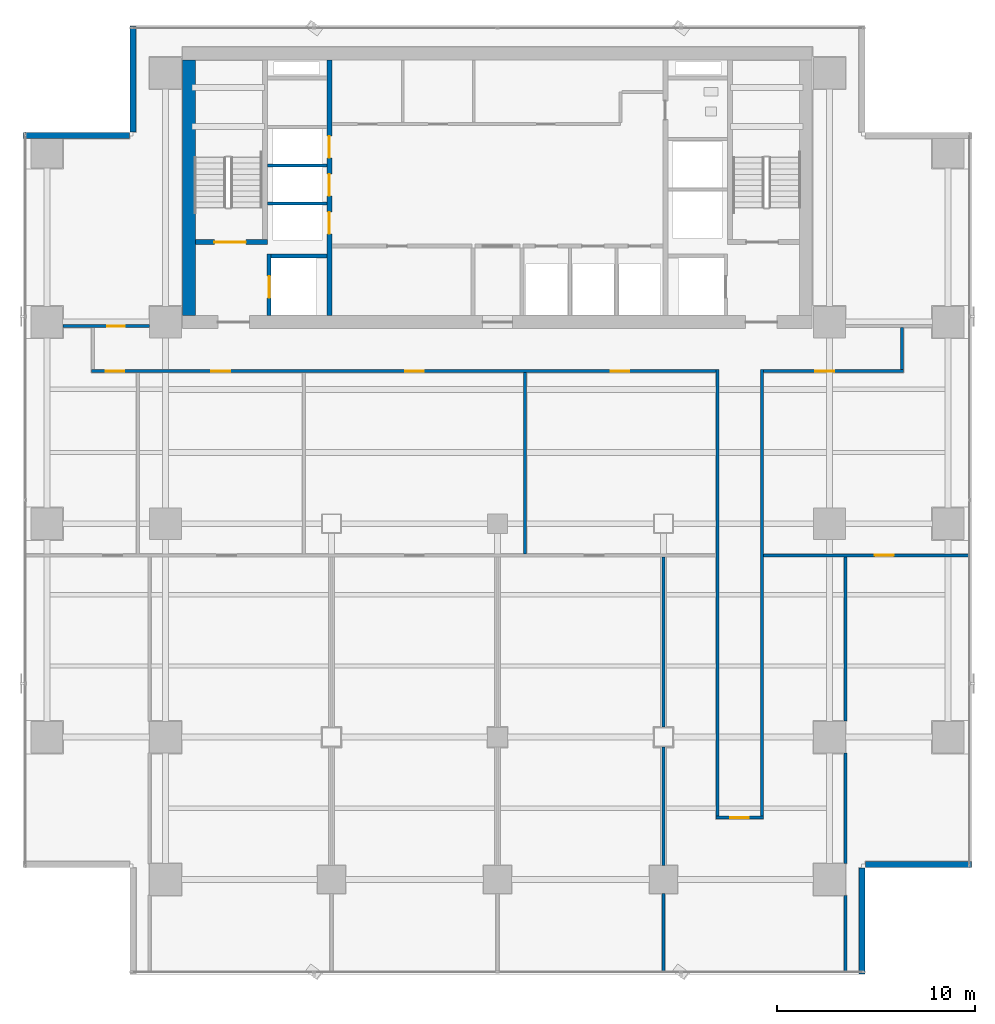
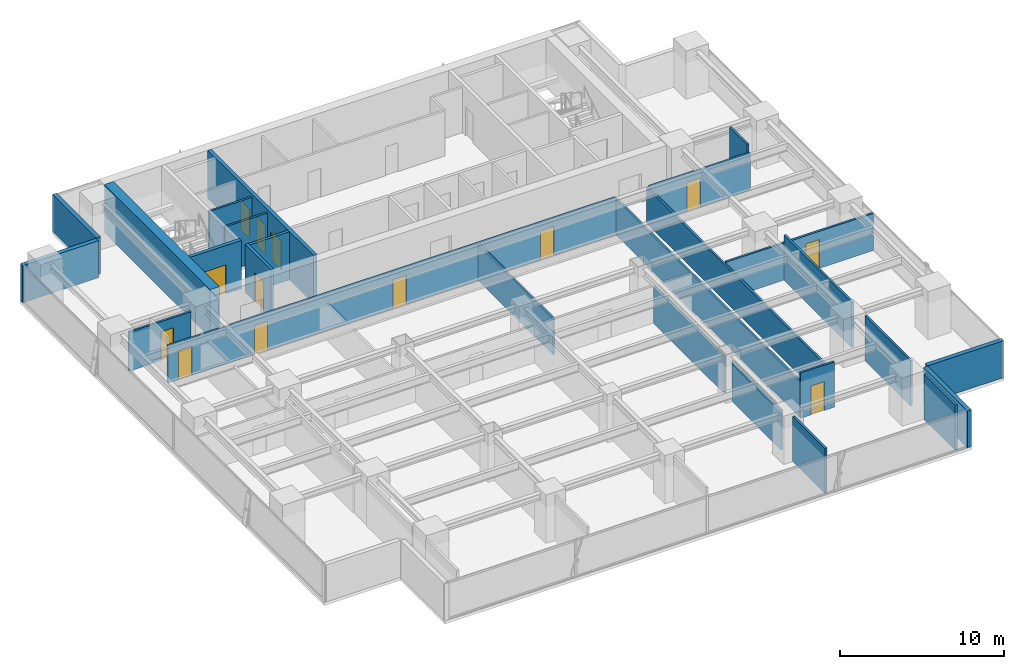
# One storey, part 21 of 28: 26 walls, 13 doors, 13 openings.
"""IFC4 building model written with IfcOpenShell, lengths in metres."""

from ifc_helpers import new_model, si_unit, direction, frame, frame_2d, origin, place, context, subcontext, project, spatial, rectangle, extrude, source, transform, mapped, material, layer, layer_set, type_object, element, fill, save


model = new_model("IFC4")

# Units and contexts
model_context = context("Model", 3, precision=1e-05, world=origin(), true_north=direction((0.0, 1.0)))
body_context = subcontext(model_context, "Body", "Model", "MODEL_VIEW")
ifc_project = project(units=[si_unit("LENGTHUNIT", "METRE"), si_unit("AREAUNIT", "SQUARE_METRE"), si_unit("VOLUMEUNIT", "CUBIC_METRE"), si_unit("PLANEANGLEUNIT", "RADIAN"), si_unit("MASSUNIT", "GRAM", prefix="KILO")], contexts=[model_context])

# Site, building, storey
site_placement = place(None, origin())
site = spatial("IfcSite", under=ifc_project, at=site_placement, CompositionType="ELEMENT")
building_placement = place(site_placement, origin())
building = spatial("IfcBuilding", under=site, at=building_placement, Name="Sumidabori Civic Tower", CompositionType="ELEMENT")
storey_placement = place(building_placement, frame((0.0, 0.0, 153.199951171875)))
storey = spatial("IfcBuildingStorey", under=building, at=storey_placement, Name="L39", CompositionType="ELEMENT", Elevation=153.199951171875)

# Walls
ifc_material_1 = material(Name="Concrete C50/60", Category="concrete")
ifc_layer_1 = layer(ifc_material_1, 0.199951171875, Name="Concrete C50/60")
ifc_layer_set_1 = layer_set([ifc_layer_1], Name="Concrete C50/60")
wall_type_1 = type_object("IfcWallType", Name="WL-SHAFT-200", PredefinedType="SHEAR", material=ifc_layer_set_1)
shared_shape_1 = source(origin(), body_context, "Body", "SweptSolid", [
    extrude(rectangle(XDim=2.824951171875, YDim=0.199951171875, at=frame_2d((1.41259765625, 0.0))), origin(), (0.0, 0.0, 1.0), 3.60009765625),
])
wall_1_placement = place(storey_placement, frame((-11.449951171875, 13.550048828125, 0.0), z_axis=(0.0, 0.0, 1.0), x_axis=(1.0, 0.0, 0.0)))
element("IfcWall", 1, at=wall_1_placement, inside=storey, type_object=wall_type_1, Name="Core Shear Wall L39 EL1-N", PredefinedType="SHEAR", context=body_context, shape_type="MappedRepresentation", body=[
    mapped(shared_shape_1, transform((0.0, 0.0, 0.0), x_axis=(1.0, 0.0, 0.0), y_axis=(0.0, 1.0, 0.0), z_axis=(0.0, 0.0, 1.0), scale=1.0)),
])
ifc_material_2 = material(Name="Concrete C60/75", Category="concrete")
ifc_layer_2 = layer(ifc_material_2, 0.64990234375, Name="Concrete C60/75")
ifc_layer_set_2 = layer_set([ifc_layer_2], Name="Concrete C60/75")
wall_type_2 = type_object("IfcWallType", Name="WL-CORE-650", PredefinedType="SHEAR", material=ifc_layer_set_2)
shared_shape_2 = source(origin(), body_context, "Body", "SweptSolid", [
    extrude(rectangle(XDim=12.9501953125, YDim=0.64990234375, at=frame_2d((6.47509765625, 0.0))), origin(), (0.0, 0.0, 1.0), 3.60009765625),
])
wall_2_placement = place(storey_placement, frame((-15.60009765625, 10.52490234375, 0.0), z_axis=(0.0, 0.0, 1.0), x_axis=(0.0, 1.0, 0.0)))
element("IfcWall", 2, at=wall_2_placement, inside=storey, type_object=wall_type_2, Name="Core Shear Wall L39 W", PredefinedType="SHEAR", context=body_context, shape_type="MappedRepresentation", body=[
    mapped(shared_shape_2, transform((0.0, 0.0, 0.0), x_axis=(1.0, 0.0, 0.0), y_axis=(0.0, 1.0, 0.0), z_axis=(0.0, 0.0, 1.0), scale=1.0)),
])

# Wall, openings, doors
ifc_layer_3 = layer(ifc_material_1, 0.25, Name="Concrete C50/60")
ifc_layer_set_3 = layer_set([ifc_layer_3], Name="Concrete C50/60")
wall_type_3 = type_object("IfcWallType", Name="WL-SHAFT-250", PredefinedType="SHEAR", material=ifc_layer_set_3)
shared_shape_3 = source(origin(), body_context, "Body", "SweptSolid", [
    extrude(rectangle(XDim=12.9501953125, YDim=0.25, at=frame_2d((6.47509765625, 0.0))), origin(), (0.0, 0.0, 1.0), 3.60009765625),
])
wall_3_placement = place(storey_placement, frame((-8.5, 10.52490234375, 0.0), z_axis=(0.0, 0.0, 1.0), x_axis=(0.0, 1.0, 0.0)))
wall_3 = element("IfcWall", 3, at=wall_3_placement, inside=storey, type_object=wall_type_3, Name="Core Shear Wall L39 WEB-W", PredefinedType="SHEAR", context=body_context, shape_type="MappedRepresentation", body=[
    mapped(shared_shape_3, transform((0.0, 0.0, 0.0), x_axis=(1.0, 0.0, 0.0), y_axis=(0.0, 1.0, 0.0), z_axis=(0.0, 0.0, 1.0), scale=1.0)),
])
opening_1_placement = place(wall_3_placement, frame((4.14501953125, 0.0, 0.0)))
opening_1 = element("IfcOpeningElement", 4, at=opening_1_placement, cuts=wall_3, Name="Opening LD-1", PredefinedType="OPENING", context=body_context, shape_type="SweptSolid", body=[
    extrude(rectangle(XDim=1.10009765625, YDim=2.14990234375, at=frame_2d((0.550048828125, 1.074951171875))), frame((0.0, 0.136962890625, 0.0), z_axis=(0.0, -1.0, 0.0), x_axis=(1.0, 0.0, 0.0)), (0.0, 0.0, 1.0), 0.27392578125),
])
opening_2_placement = place(wall_3_placement, frame((6.06494140625, 0.0, 0.0)))
opening_2 = element("IfcOpeningElement", 5, at=opening_2_placement, cuts=wall_3, Name="Opening LD-1", PredefinedType="OPENING", context=body_context, shape_type="SweptSolid", body=[
    extrude(rectangle(XDim=1.10009765625, YDim=2.14990234375, at=frame_2d((0.550048828125, 1.074951171875))), frame((0.0, 0.136962890625, 0.0), z_axis=(0.0, -1.0, 0.0), x_axis=(1.0, 0.0, 0.0)), (0.0, 0.0, 1.0), 0.27392578125),
])
opening_3_placement = place(wall_3_placement, frame((7.985107421875, 0.0, 0.0)))
opening_3 = element("IfcOpeningElement", 6, at=opening_3_placement, cuts=wall_3, Name="Opening LD-1", PredefinedType="OPENING", context=body_context, shape_type="SweptSolid", body=[
    extrude(rectangle(XDim=1.10009765625, YDim=2.14990234375, at=frame_2d((0.550048828125, 1.074951171875))), frame((0.0, 0.136962890625, 0.0), z_axis=(0.0, -1.0, 0.0), x_axis=(1.0, 0.0, 0.0)), (0.0, 0.0, 1.0), 0.27392578125),
])
ifc_material_3 = material(Name="Stainless Steel Hairline Finish", Category="steel")
door_type_1 = type_object("IfcDoorType", Name="DR-LD1", OperationType="DOUBLE_DOOR_SLIDING", PredefinedType="DOOR", material=ifc_material_3)
shared_shape_4 = source(origin(), body_context, "Body", "SweptSolid", [
    extrude(rectangle(XDim=1.10009765625, YDim=2.14990234375, at=frame_2d((0.550048828125, 1.074951171875))), frame((0.0, 0.02490234375, 0.0), z_axis=(0.0, -1.0, 0.0), x_axis=(1.0, 0.0, 0.0)), (0.0, 0.0, 1.0), 0.050048828125),
])
door_1_placement = place(opening_1_placement, origin())
door_1 = element("IfcDoor", 7, at=door_1_placement, inside=storey, type_object=door_type_1, Name="Door DR:L39:LD-PLH1", OperationType="DOUBLE_DOOR_SLIDING", OverallHeight=2.14990234375, OverallWidth=1.10009765625, PredefinedType="DOOR", context=body_context, shape_type="MappedRepresentation", body=[
    mapped(shared_shape_4, transform((0.0, 0.0, 0.0), x_axis=(1.0, 0.0, 0.0), y_axis=(0.0, 1.0, 0.0), z_axis=(0.0, 0.0, 1.0), scale=1.0)),
])
fill(opening_1, door_1)
door_2_placement = place(opening_2_placement, origin())
door_2 = element("IfcDoor", 8, at=door_2_placement, inside=storey, type_object=door_type_1, Name="Door DR:L39:LD-PLH2", OperationType="DOUBLE_DOOR_SLIDING", OverallHeight=2.14990234375, OverallWidth=1.10009765625, PredefinedType="DOOR", context=body_context, shape_type="MappedRepresentation", body=[
    mapped(shared_shape_4, transform((0.0, 0.0, 0.0), x_axis=(1.0, 0.0, 0.0), y_axis=(0.0, 1.0, 0.0), z_axis=(0.0, 0.0, 1.0), scale=1.0)),
])
fill(opening_2, door_2)
door_3_placement = place(opening_3_placement, origin())
door_3 = element("IfcDoor", 9, at=door_3_placement, inside=storey, type_object=door_type_1, Name="Door DR:L39:LD-PLH3", OperationType="DOUBLE_DOOR_SLIDING", OverallHeight=2.14990234375, OverallWidth=1.10009765625, PredefinedType="DOOR", context=body_context, shape_type="MappedRepresentation", body=[
    mapped(shared_shape_4, transform((0.0, 0.0, 0.0), x_axis=(1.0, 0.0, 0.0), y_axis=(0.0, 1.0, 0.0), z_axis=(0.0, 0.0, 1.0), scale=1.0)),
])
fill(opening_3, door_3)

# Wall, opening, door
shared_shape_5 = source(origin(), body_context, "Body", "SweptSolid", [
    extrude(rectangle(XDim=3.6298828125, YDim=0.25, at=frame_2d((1.81494140625, 0.0))), origin(), (0.0, 0.0, 1.0), 3.60009765625),
])
wall_4_placement = place(storey_placement, frame((-15.27490234375, 14.25, 0.0), z_axis=(0.0, 0.0, 1.0), x_axis=(1.0, 0.0, 0.0)))
wall_4 = element("IfcWall", 10, at=wall_4_placement, inside=storey, type_object=wall_type_3, Name="Core Shear Wall L39 ST1-S", PredefinedType="SHEAR", context=body_context, shape_type="MappedRepresentation", body=[
    mapped(shared_shape_5, transform((0.0, 0.0, 0.0), x_axis=(1.0, 0.0, 0.0), y_axis=(0.0, 1.0, 0.0), z_axis=(0.0, 0.0, 1.0), scale=1.0)),
])
opening_4_placement = place(wall_4_placement, frame((0.949951171875, 0.0, 0.0)))
opening_4 = element("IfcOpeningElement", 11, at=opening_4_placement, cuts=wall_4, Name="Opening DR-FD4", PredefinedType="OPENING", context=body_context, shape_type="SweptSolid", body=[
    extrude(rectangle(XDim=1.60009765625, YDim=2.14990234375, at=frame_2d((0.800048828125, 1.074951171875))), frame((0.0, 0.136962890625, 0.0), z_axis=(0.0, -1.0, 0.0), x_axis=(1.0, 0.0, 0.0)), (0.0, 0.0, 1.0), 0.27392578125),
])
ifc_material_4 = material(Name="Steel SN490", Category="steel")
door_type_2 = type_object("IfcDoorType", Name="DR-FD4", OperationType="DOUBLE_DOOR_SINGLE_SWING", PredefinedType="DOOR", material=ifc_material_4)
shared_shape_6 = source(origin(), body_context, "Body", "SweptSolid", [
    extrude(rectangle(XDim=1.60009765625, YDim=2.14990234375, at=frame_2d((0.800048828125, 1.074951171875))), frame((0.0, 0.02490234375, 0.0), z_axis=(0.0, -1.0, 0.0), x_axis=(1.0, 0.0, 0.0)), (0.0, 0.0, 1.0), 0.050048828125),
])
door_4_placement = place(opening_4_placement, origin())
door_4 = element("IfcDoor", 12, at=door_4_placement, inside=storey, type_object=door_type_2, Name="Door DR:L39:ST1", OperationType="DOUBLE_DOOR_SINGLE_SWING", OverallHeight=2.14990234375, OverallWidth=1.60009765625, PredefinedType="DOOR", context=body_context, shape_type="MappedRepresentation", body=[
    mapped(shared_shape_6, transform((0.0, 0.0, 0.0), x_axis=(1.0, 0.0, 0.0), y_axis=(0.0, 1.0, 0.0), z_axis=(0.0, 0.0, 1.0), scale=1.0)),
])
fill(opening_4, door_4)

shared_shape_7 = source(origin(), body_context, "Body", "SweptSolid", [
    extrude(rectangle(XDim=3.125, YDim=0.199951171875, at=frame_2d((1.5625, 0.0))), origin(), (0.0, 0.0, 1.0), 3.60009765625),
])
wall_5_placement = place(storey_placement, frame((-11.550048828125, 10.52490234375, 0.0), z_axis=(0.0, 0.0, 1.0), x_axis=(0.0, 1.0, 0.0)))
wall_5 = element("IfcWall", 13, at=wall_5_placement, inside=storey, type_object=wall_type_1, Name="Core Shear Wall L39 EL1-W", PredefinedType="SHEAR", context=body_context, shape_type="MappedRepresentation", body=[
    mapped(shared_shape_7, transform((0.0, 0.0, 0.0), x_axis=(1.0, 0.0, 0.0), y_axis=(0.0, 1.0, 0.0), z_axis=(0.0, 0.0, 1.0), scale=1.0)),
])
opening_5_placement = place(wall_5_placement, frame((0.89990234375, 0.0, 0.0)))
opening_5 = element("IfcOpeningElement", 14, at=opening_5_placement, cuts=wall_5, Name="Opening LD-2", PredefinedType="OPENING", context=body_context, shape_type="SweptSolid", body=[
    extrude(rectangle(XDim=1.10009765625, YDim=2.14990234375, at=frame_2d((0.550048828125, 1.074951171875))), frame((0.0, 0.11181640625, 0.0), z_axis=(0.0, -1.0, 0.0), x_axis=(1.0, 0.0, 0.0)), (0.0, 0.0, 1.0), 0.223876953125),
])
door_type_3 = type_object("IfcDoorType", Name="DR-LD2", OperationType="DOUBLE_DOOR_SLIDING", PredefinedType="DOOR", material=ifc_material_3)
door_5_placement = place(opening_5_placement, origin())
door_5 = element("IfcDoor", 15, at=door_5_placement, inside=storey, type_object=door_type_3, Name="Door DR:L39:LD-EL1", OperationType="DOUBLE_DOOR_SLIDING", OverallHeight=2.14990234375, OverallWidth=1.10009765625, PredefinedType="DOOR", context=body_context, shape_type="MappedRepresentation", body=[
    mapped(shared_shape_4, transform((0.0, 0.0, 0.0), x_axis=(1.0, 0.0, 0.0), y_axis=(0.0, 1.0, 0.0), z_axis=(0.0, 0.0, 1.0), scale=1.0)),
])
fill(opening_5, door_5)

# Walls
ifc_material_5 = material(Name="Precast concrete C40/50", Category="concrete")
ifc_layer_4 = layer(ifc_material_5, 0.300048828125, Name="Precast concrete C40/50")
ifc_layer_set_4 = layer_set([ifc_layer_4], Name="Precast concrete C40/50")
wall_type_4 = type_object("IfcWallType", Name="WL-EXT-POD300", PredefinedType="STANDARD", material=ifc_layer_set_4)
shared_shape_8 = source(origin(), body_context, "Body", "SweptSolid", [
    extrude(rectangle(XDim=5.360107421875, YDim=0.300048828125, at=frame_2d((2.68017578125, 0.0))), origin(), (0.0, 0.0, 1.0), 2.760009765625),
])
wall_6_placement = place(storey_placement, frame((18.449951171875, -22.780029296875, 0.0), z_axis=(0.0, 0.0, 1.0), x_axis=(0.0, 1.0, 0.0)))
element("IfcWall", 16, at=wall_6_placement, inside=storey, type_object=wall_type_4, Name="Notched Corner Spandrel Band L39-02", PredefinedType="STANDARD", context=body_context, shape_type="MappedRepresentation", body=[
    mapped(shared_shape_8, transform((0.0, 0.0, 0.0), x_axis=(1.0, 0.0, 0.0), y_axis=(0.0, 1.0, 0.0), z_axis=(0.0, 0.0, 1.0), scale=1.0)),
])
shared_shape_9 = source(origin(), body_context, "Body", "SweptSolid", [
    extrude(rectangle(XDim=5.35986328125, YDim=0.300048828125, at=frame_2d((2.679931640625, 0.0))), origin(), (0.0, 0.0, 1.0), 2.760009765625),
])
for number, where, z_axis, x_axis, name in (
    (17, (18.6201171875, -17.25, 0.0), (0.0, 0.0, 1.0), (1.0, 0.0, 0.0), "Notched Corner Spandrel Band L39-03"),
    (18, (-18.449951171875, 25.179931640625, 0.0), (0.0, 0.0, 1.0), (0.0, -1.0, 0.0), "Notched Corner Spandrel Band L39-08"),
    (19, (-18.6201171875, 19.64990234375, 0.0), (0.0, 0.0, 1.0), (-1.0, 0.0, 0.0), "Notched Corner Spandrel Band L39-09"),
):
    element("IfcWall", number, at=place(storey_placement, frame(where, z_axis=z_axis, x_axis=x_axis)), inside=storey, type_object=wall_type_4, Name=name, PredefinedType="STANDARD", context=body_context, shape_type="MappedRepresentation", body=[
        mapped(shared_shape_9, transform((0.0, 0.0, 0.0), x_axis=(1.0, 0.0, 0.0), y_axis=(0.0, 1.0, 0.0), z_axis=(0.0, 0.0, 1.0), scale=1.0)),
    ])
ifc_material_6 = material(Name="Gypsum Plasterboard Acoustic Partition")
ifc_layer_5 = layer(ifc_material_6, 0.14990234375, Name="Gypsum Plasterboard Acoustic Partition")
ifc_layer_set_5 = layer_set([ifc_layer_5], Name="Gypsum Plasterboard Acoustic Partition")
wall_type_5 = type_object("IfcWallType", Name="WL-PART-150", PredefinedType="PARTITIONING", material=ifc_layer_set_5)
shared_shape_10 = source(origin(), body_context, "Body", "SweptSolid", [
    extrude(rectangle(XDim=3.010009765625, YDim=0.14990234375, at=frame_2d((1.5048828125, 0.0))), origin(), (0.0, 0.0, 1.0), 3.380126953125),
])
for number, where, z_axis, x_axis, name in (
    (20, (-11.639892578125, 16.199951171875, 0.0), (0.0, 0.0, 1.0), (1.0, 0.0, 0.0), "Interior Partition WL:L39:DIV-PLH1"),
    (21, (-11.639892578125, 18.1201171875, 0.0), (0.0, 0.0, 1.0), (1.0, 0.0, 0.0), "Interior Partition WL:L39:DIV-PLH2"),
):
    element("IfcWall", number, at=place(storey_placement, frame(where, z_axis=z_axis, x_axis=x_axis)), inside=storey, type_object=wall_type_5, Name=name, PredefinedType="PARTITIONING", context=body_context, shape_type="MappedRepresentation", body=[
        mapped(shared_shape_10, transform((0.0, 0.0, 0.0), x_axis=(1.0, 0.0, 0.0), y_axis=(0.0, 1.0, 0.0), z_axis=(0.0, 0.0, 1.0), scale=1.0)),
    ])

# Wall, opening, door
shared_shape_11 = source(origin(), body_context, "Body", "SweptSolid", [
    extrude(rectangle(XDim=4.3798828125, YDim=0.14990234375, at=frame_2d((2.18994140625, 0.0))), origin(), (0.0, 0.0, 1.0), 2.9150390625),
])
wall_7_placement = place(storey_placement, frame((-21.989990234375, 10.0, 0.0), z_axis=(0.0, 0.0, 1.0), x_axis=(1.0, 0.0, 0.0)))
wall_7 = element("IfcWall", 22, at=wall_7_placement, inside=storey, type_object=wall_type_5, Name="Interior Partition WL:L39:FLK-NW", PredefinedType="PARTITIONING", context=body_context, shape_type="MappedRepresentation", body=[
    mapped(shared_shape_11, transform((0.0, 0.0, 0.0), x_axis=(1.0, 0.0, 0.0), y_axis=(0.0, 1.0, 0.0), z_axis=(0.0, 0.0, 1.0), scale=1.0)),
])
opening_6_placement = place(wall_7_placement, frame((2.235107421875, 0.0, 0.0)))
opening_6 = element("IfcOpeningElement", 23, at=opening_6_placement, cuts=wall_7, Name="Opening DR-1", PredefinedType="OPENING", context=body_context, shape_type="SweptSolid", body=[
    extrude(rectangle(XDim=0.89990234375, YDim=2.14990234375, at=frame_2d((0.449951171875, 1.074951171875))), frame((0.0, 0.0869140625, 0.0), z_axis=(0.0, -1.0, 0.0), x_axis=(1.0, 0.0, 0.0)), (0.0, 0.0, 1.0), 0.173828125),
])
ifc_material_7 = material(Name="Japanese Hinoki Timber", Category="wood")
door_type_4 = type_object("IfcDoorType", Name="DR-INT-900", OperationType="NOTDEFINED", PredefinedType="DOOR", material=ifc_material_7)
shared_shape_12 = source(origin(), body_context, "Body", "SweptSolid", [
    extrude(rectangle(XDim=0.89990234375, YDim=2.14990234375, at=frame_2d((0.449951171875, 1.074951171875))), frame((0.0, 0.02490234375, 0.0), z_axis=(0.0, -1.0, 0.0), x_axis=(1.0, 0.0, 0.0)), (0.0, 0.0, 1.0), 0.050048828125),
])
door_6_placement = place(opening_6_placement, origin())
door_6 = element("IfcDoor", 24, at=door_6_placement, inside=storey, type_object=door_type_4, Name="Door DR:L39:FLK-NW", OperationType="SINGLE_SWING_LEFT", OverallHeight=2.14990234375, OverallWidth=0.89990234375, PredefinedType="DOOR", context=body_context, shape_type="MappedRepresentation", body=[
    mapped(shared_shape_12, transform((0.0, 0.0, 0.0), x_axis=(1.0, 0.0, 0.0), y_axis=(0.0, 1.0, 0.0), z_axis=(0.0, 0.0, 1.0), scale=1.0)),
])
fill(opening_6, door_6)

# Walls
shared_shape_13 = source(origin(), body_context, "Body", "SweptSolid", [
    extrude(rectangle(XDim=22.594970703125, YDim=0.14990234375, at=frame_2d((11.29736328125, 0.0))), origin(), (0.0, 0.0, 1.0), 2.6650390625),
])
for number, where, z_axis, x_axis, name in (
    (25, (11.125, -14.794921875, 0.0), (0.0, 0.0, 1.0), (0.0, 1.0, 0.0), "Interior Partition WL:L39:CORR-VL-W"),
    (26, (13.375, -14.794921875, 0.0), (0.0, 0.0, 1.0), (0.0, 1.0, 0.0), "Interior Partition WL:L39:CORR-VL-E"),
):
    element("IfcWall", number, at=place(storey_placement, frame(where, z_axis=z_axis, x_axis=x_axis)), inside=storey, type_object=wall_type_5, Name=name, PredefinedType="PARTITIONING", context=body_context, shape_type="MappedRepresentation", body=[
        mapped(shared_shape_13, transform((0.0, 0.0, 0.0), x_axis=(1.0, 0.0, 0.0), y_axis=(0.0, 1.0, 0.0), z_axis=(0.0, 0.0, 1.0), scale=1.0)),
    ])
shared_shape_14 = source(origin(), body_context, "Body", "SweptSolid", [
    extrude(rectangle(XDim=9.1650390625, YDim=0.14990234375, at=frame_2d((4.58251953125, 0.0))), origin(), (0.0, 0.0, 1.0), 2.6650390625),
])
wall_8_placement = place(storey_placement, frame((1.39990234375, -1.52001953125, 0.0), z_axis=(0.0, 0.0, 1.0), x_axis=(0.0, 1.0, 0.0)))
element("IfcWall", 27, at=wall_8_placement, inside=storey, type_object=wall_type_5, Name="Interior Partition WL:L39:VX-N3", PredefinedType="PARTITIONING", context=body_context, shape_type="MappedRepresentation", body=[
    mapped(shared_shape_14, transform((0.0, 0.0, 0.0), x_axis=(1.0, 0.0, 0.0), y_axis=(0.0, 1.0, 0.0), z_axis=(0.0, 0.0, 1.0), scale=1.0)),
])
shared_shape_15 = source(origin(), body_context, "Body", "SweptSolid", [
    extrude(rectangle(XDim=5.97998046875, YDim=0.14990234375, at=frame_2d((2.989990234375, 0.0))), origin(), (0.0, 0.0, 1.0), 2.965087890625),
])
wall_9_placement = place(storey_placement, frame((8.39990234375, -17.2900390625, 0.0), z_axis=(0.0, 0.0, 1.0), x_axis=(0.0, 1.0, 0.0)))
element("IfcWall", 28, at=wall_9_placement, inside=storey, type_object=wall_type_5, Name="Interior Partition WL:L39:VX-S4-2", PredefinedType="PARTITIONING", context=body_context, shape_type="MappedRepresentation", body=[
    mapped(shared_shape_15, transform((0.0, 0.0, 0.0), x_axis=(1.0, 0.0, 0.0), y_axis=(0.0, 1.0, 0.0), z_axis=(0.0, 0.0, 1.0), scale=1.0)),
])

# Wall, openings, doors
shared_shape_16 = source(origin(), body_context, "Body", "SweptSolid", [
    extrude(rectangle(XDim=31.60009765625, YDim=0.14990234375, at=frame_2d((15.800048828125, 0.0))), origin(), (0.0, 0.0, 1.0), 2.76513671875),
])
wall_10_placement = place(storey_placement, frame((-20.550048828125, 7.72509765625, 0.0), z_axis=(0.0, 0.0, 1.0), x_axis=(1.0, 0.0, 0.0)))
wall_10 = element("IfcWall", 29, at=wall_10_placement, inside=storey, type_object=wall_type_5, Name="Interior Partition WL:L39:CORR-SW", PredefinedType="PARTITIONING", context=body_context, shape_type="MappedRepresentation", body=[
    mapped(shared_shape_16, transform((0.0, 0.0, 0.0), x_axis=(1.0, 0.0, 0.0), y_axis=(0.0, 1.0, 0.0), z_axis=(0.0, 0.0, 1.0), scale=1.0)),
])
opening_7_placement = place(wall_10_placement, frame((0.722412109375, 0.0, 0.0)))
opening_7 = element("IfcOpeningElement", 30, at=opening_7_placement, cuts=wall_10, Name="Opening DR-2", PredefinedType="OPENING", context=body_context, shape_type="SweptSolid", body=[
    extrude(rectangle(XDim=0.949951171875, YDim=2.14990234375, at=frame_2d((0.47509765625, 1.074951171875))), frame((0.0, 0.0869140625, 0.0), z_axis=(0.0, -1.0, 0.0), x_axis=(1.0, 0.0, 0.0)), (0.0, 0.0, 1.0), 0.173828125),
])
opening_8_placement = place(wall_10_placement, frame((6.074951171875, 0.0, 0.0)))
opening_8 = element("IfcOpeningElement", 31, at=opening_8_placement, cuts=wall_10, Name="Opening DR-2", PredefinedType="OPENING", context=body_context, shape_type="SweptSolid", body=[
    extrude(rectangle(XDim=0.949951171875, YDim=2.14990234375, at=frame_2d((0.47509765625, 1.074951171875))), frame((0.0, 0.0869140625, 0.0), z_axis=(0.0, -1.0, 0.0), x_axis=(1.0, 0.0, 0.0)), (0.0, 0.0, 1.0), 0.173828125),
])
opening_9_placement = place(wall_10_placement, frame((15.875, 0.0, 0.0)))
opening_9 = element("IfcOpeningElement", 32, at=opening_9_placement, cuts=wall_10, Name="Opening DR-2", PredefinedType="OPENING", context=body_context, shape_type="SweptSolid", body=[
    extrude(rectangle(XDim=0.949951171875, YDim=2.14990234375, at=frame_2d((0.47509765625, 1.074951171875))), frame((0.0, 0.0869140625, 0.0), z_axis=(0.0, -1.0, 0.0), x_axis=(1.0, 0.0, 0.0)), (0.0, 0.0, 1.0), 0.173828125),
])
opening_10_placement = place(wall_10_placement, frame((26.277587890625, 0.0, 0.0)))
opening_10 = element("IfcOpeningElement", 33, at=opening_10_placement, cuts=wall_10, Name="Opening DR-2", PredefinedType="OPENING", context=body_context, shape_type="SweptSolid", body=[
    extrude(rectangle(XDim=0.949951171875, YDim=2.14990234375, at=frame_2d((0.47509765625, 1.074951171875))), frame((0.0, 0.0869140625, 0.0), z_axis=(0.0, -1.0, 0.0), x_axis=(1.0, 0.0, 0.0)), (0.0, 0.0, 1.0), 0.173828125),
])
door_type_5 = type_object("IfcDoorType", Name="DR-INT-950", OperationType="NOTDEFINED", PredefinedType="DOOR", material=ifc_material_7)
shared_shape_17 = source(origin(), body_context, "Body", "SweptSolid", [
    extrude(rectangle(XDim=0.949951171875, YDim=2.14990234375, at=frame_2d((0.47509765625, 1.074951171875))), frame((0.0, 0.02490234375, 0.0), z_axis=(0.0, -1.0, 0.0), x_axis=(1.0, 0.0, 0.0)), (0.0, 0.0, 1.0), 0.050048828125),
])
door_7_placement = place(opening_7_placement, origin())
door_7 = element("IfcDoor", 34, at=door_7_placement, inside=storey, type_object=door_type_5, Name="Door DR:L39:D02", OperationType="SINGLE_SWING_RIGHT", OverallHeight=2.14990234375, OverallWidth=0.949951171875, PredefinedType="DOOR", context=body_context, shape_type="MappedRepresentation", body=[
    mapped(shared_shape_17, transform((0.0, 0.0, 0.0), x_axis=(1.0, 0.0, 0.0), y_axis=(0.0, 1.0, 0.0), z_axis=(0.0, 0.0, 1.0), scale=1.0)),
])
fill(opening_7, door_7)
door_8_placement = place(opening_8_placement, origin())
door_8 = element("IfcDoor", 35, at=door_8_placement, inside=storey, type_object=door_type_5, Name="Door DR:L39:D04", OperationType="SINGLE_SWING_RIGHT", OverallHeight=2.14990234375, OverallWidth=0.949951171875, PredefinedType="DOOR", context=body_context, shape_type="MappedRepresentation", body=[
    mapped(shared_shape_17, transform((0.0, 0.0, 0.0), x_axis=(1.0, 0.0, 0.0), y_axis=(0.0, 1.0, 0.0), z_axis=(0.0, 0.0, 1.0), scale=1.0)),
])
fill(opening_8, door_8)
door_9_placement = place(opening_9_placement, origin())
door_9 = element("IfcDoor", 36, at=door_9_placement, inside=storey, type_object=door_type_5, Name="Door DR:L39:D05", OperationType="SINGLE_SWING_LEFT", OverallHeight=2.14990234375, OverallWidth=0.949951171875, PredefinedType="DOOR", context=body_context, shape_type="MappedRepresentation", body=[
    mapped(shared_shape_17, transform((0.0, 0.0, 0.0), x_axis=(1.0, 0.0, 0.0), y_axis=(0.0, 1.0, 0.0), z_axis=(0.0, 0.0, 1.0), scale=1.0)),
])
fill(opening_9, door_9)
door_10_placement = place(opening_10_placement, origin())
door_10 = element("IfcDoor", 37, at=door_10_placement, inside=storey, type_object=door_type_5, Name="Door DR:L39:D06", OperationType="SINGLE_SWING_RIGHT", OverallHeight=2.14990234375, OverallWidth=0.949951171875, PredefinedType="DOOR", context=body_context, shape_type="MappedRepresentation", body=[
    mapped(shared_shape_17, transform((0.0, 0.0, 0.0), x_axis=(1.0, 0.0, 0.0), y_axis=(0.0, 1.0, 0.0), z_axis=(0.0, 0.0, 1.0), scale=1.0)),
])
fill(opening_10, door_10)

# Wall, opening, door
shared_shape_18 = source(origin(), body_context, "Body", "SweptSolid", [
    extrude(rectangle(XDim=7.10009765625, YDim=0.14990234375, at=frame_2d((3.550048828125, 0.0))), origin(), (0.0, 0.0, 1.0), 2.76513671875),
])
wall_11_placement = place(storey_placement, frame((13.449951171875, 7.72509765625, 0.0), z_axis=(0.0, 0.0, 1.0), x_axis=(1.0, 0.0, 0.0)))
wall_11 = element("IfcWall", 38, at=wall_11_placement, inside=storey, type_object=wall_type_5, Name="Interior Partition WL:L39:CORR-SE", PredefinedType="PARTITIONING", context=body_context, shape_type="MappedRepresentation", body=[
    mapped(shared_shape_18, transform((0.0, 0.0, 0.0), x_axis=(1.0, 0.0, 0.0), y_axis=(0.0, 1.0, 0.0), z_axis=(0.0, 0.0, 1.0), scale=1.0)),
])
opening_11_placement = place(wall_11_placement, frame((2.635009765625, 0.0, 0.0)))
opening_11 = element("IfcOpeningElement", 39, at=opening_11_placement, cuts=wall_11, Name="Opening DR-2", PredefinedType="OPENING", context=body_context, shape_type="SweptSolid", body=[
    extrude(rectangle(XDim=0.949951171875, YDim=2.14990234375, at=frame_2d((0.47509765625, 1.074951171875))), frame((0.0, 0.0869140625, 0.0), z_axis=(0.0, -1.0, 0.0), x_axis=(1.0, 0.0, 0.0)), (0.0, 0.0, 1.0), 0.173828125),
])
door_11_placement = place(opening_11_placement, origin())
door_11 = element("IfcDoor", 40, at=door_11_placement, inside=storey, type_object=door_type_5, Name="Door DR:L39:D03", OperationType="SINGLE_SWING_LEFT", OverallHeight=2.14990234375, OverallWidth=0.949951171875, PredefinedType="DOOR", context=body_context, shape_type="MappedRepresentation", body=[
    mapped(shared_shape_17, transform((0.0, 0.0, 0.0), x_axis=(1.0, 0.0, 0.0), y_axis=(0.0, 1.0, 0.0), z_axis=(0.0, 0.0, 1.0), scale=1.0)),
])
fill(opening_11, door_11)

shared_shape_19 = source(origin(), body_context, "Body", "SweptSolid", [
    extrude(rectangle(XDim=2.39990234375, YDim=0.14990234375, at=frame_2d((1.199951171875, 0.0))), origin(), (0.0, 0.0, 1.0), 3.380126953125),
])
wall_12_placement = place(storey_placement, frame((11.050048828125, -14.875, 0.0), z_axis=(0.0, 0.0, 1.0), x_axis=(1.0, 0.0, 0.0)))
wall_12 = element("IfcWall", 41, at=wall_12_placement, inside=storey, type_object=wall_type_5, Name="Interior Partition WL:L39:CORR-CAP-E", PredefinedType="PARTITIONING", context=body_context, shape_type="MappedRepresentation", body=[
    mapped(shared_shape_19, transform((0.0, 0.0, 0.0), x_axis=(1.0, 0.0, 0.0), y_axis=(0.0, 1.0, 0.0), z_axis=(0.0, 0.0, 1.0), scale=1.0)),
])
opening_12_placement = place(wall_12_placement, frame((0.72509765625, 0.0, 0.0)))
opening_12 = element("IfcOpeningElement", 42, at=opening_12_placement, cuts=wall_12, Name="Opening DR-2", PredefinedType="OPENING", context=body_context, shape_type="SweptSolid", body=[
    extrude(rectangle(XDim=0.949951171875, YDim=2.14990234375, at=frame_2d((0.47509765625, 1.074951171875))), frame((0.0, 0.0869140625, 0.0), z_axis=(0.0, -1.0, 0.0), x_axis=(1.0, 0.0, 0.0)), (0.0, 0.0, 1.0), 0.173828125),
])
door_12_placement = place(opening_12_placement, origin())
door_12 = element("IfcDoor", 43, at=door_12_placement, inside=storey, type_object=door_type_5, Name="Door DR:L39:D07", OperationType="SINGLE_SWING_LEFT", OverallHeight=2.14990234375, OverallWidth=0.949951171875, PredefinedType="DOOR", context=body_context, shape_type="MappedRepresentation", body=[
    mapped(shared_shape_17, transform((0.0, 0.0, 0.0), x_axis=(1.0, 0.0, 0.0), y_axis=(0.0, 1.0, 0.0), z_axis=(0.0, 0.0, 1.0), scale=1.0)),
])
fill(opening_12, door_12)

# Wall
shared_shape_20 = source(origin(), body_context, "Body", "SweptSolid", [
    extrude(rectangle(XDim=2.114990234375, YDim=0.14990234375, at=frame_2d((1.0576171875, 0.0))), origin(), (0.0, 0.0, 1.0), 3.380126953125),
])
wall_13_placement = place(storey_placement, frame((20.47509765625, 7.804931640625, 0.0), z_axis=(0.0, 0.0, 1.0), x_axis=(0.0, 1.0, 0.0)))
element("IfcWall", 44, at=wall_13_placement, inside=storey, type_object=wall_type_5, Name="Interior Partition WL:L39:CORR-VNE", PredefinedType="PARTITIONING", context=body_context, shape_type="MappedRepresentation", body=[
    mapped(shared_shape_20, transform((0.0, 0.0, 0.0), x_axis=(1.0, 0.0, 0.0), y_axis=(0.0, 1.0, 0.0), z_axis=(0.0, 0.0, 1.0), scale=1.0)),
])

# Wall, opening, door
shared_shape_21 = source(origin(), body_context, "Body", "SweptSolid", [
    extrude(rectangle(XDim=10.39501953125, YDim=0.14990234375, at=frame_2d((5.197509765625, 0.0))), origin(), (0.0, 0.0, 1.0), 2.76513671875),
])
wall_14_placement = place(storey_placement, frame((13.455078125, -1.60009765625, 0.0), z_axis=(0.0, 0.0, 1.0), x_axis=(1.0, 0.0, 0.0)))
wall_14 = element("IfcWall", 45, at=wall_14_placement, inside=storey, type_object=wall_type_5, Name="Interior Partition WL:L39:BAND-Y-2", PredefinedType="PARTITIONING", context=body_context, shape_type="MappedRepresentation", body=[
    mapped(shared_shape_21, transform((0.0, 0.0, 0.0), x_axis=(1.0, 0.0, 0.0), y_axis=(0.0, 1.0, 0.0), z_axis=(0.0, 0.0, 1.0), scale=1.0)),
])
opening_13_placement = place(wall_14_placement, frame((5.64501953125, 0.0, 0.0)))
opening_13 = element("IfcOpeningElement", 46, at=opening_13_placement, cuts=wall_14, Name="Opening DR-2", PredefinedType="OPENING", context=body_context, shape_type="SweptSolid", body=[
    extrude(rectangle(XDim=0.949951171875, YDim=2.14990234375, at=frame_2d((0.47509765625, 1.074951171875))), frame((0.0, 0.0869140625, 0.0), z_axis=(0.0, -1.0, 0.0), x_axis=(1.0, 0.0, 0.0)), (0.0, 0.0, 1.0), 0.173828125),
])
door_13_placement = place(opening_13_placement, origin())
door_13 = element("IfcDoor", 47, at=door_13_placement, inside=storey, type_object=door_type_5, Name="Door DR:L39:D09", OperationType="SINGLE_SWING_LEFT", OverallHeight=2.14990234375, OverallWidth=0.949951171875, PredefinedType="DOOR", context=body_context, shape_type="MappedRepresentation", body=[
    mapped(shared_shape_17, transform((0.0, 0.0, 0.0), x_axis=(1.0, 0.0, 0.0), y_axis=(0.0, 1.0, 0.0), z_axis=(0.0, 0.0, 1.0), scale=1.0)),
])
fill(opening_13, door_13)

# Walls
shared_shape_22 = source(origin(), body_context, "Body", "SweptSolid", [
    extrude(rectangle(XDim=3.83984375, YDim=0.14990234375, at=frame_2d((1.919921875, 0.0))), origin(), (0.0, 0.0, 1.0), 3.380126953125),
])
wall_15_placement = place(storey_placement, frame((17.60009765625, -22.64990234375, 0.0), z_axis=(0.0, 0.0, 1.0), x_axis=(0.0, 1.0, 0.0)))
element("IfcWall", 48, at=wall_15_placement, inside=storey, type_object=wall_type_5, Name="Interior Partition WL:L39:VX-S5-1", PredefinedType="PARTITIONING", context=body_context, shape_type="MappedRepresentation", body=[
    mapped(shared_shape_22, transform((0.0, 0.0, 0.0), x_axis=(1.0, 0.0, 0.0), y_axis=(0.0, 1.0, 0.0), z_axis=(0.0, 0.0, 1.0), scale=1.0)),
])
shared_shape_23 = source(origin(), body_context, "Body", "SweptSolid", [
    extrude(rectangle(XDim=5.579833984375, YDim=0.14990234375, at=frame_2d((2.7900390625, 0.0))), origin(), (0.0, 0.0, 1.0), 3.380126953125),
])
wall_16_placement = place(storey_placement, frame((17.60009765625, -17.18994140625, 0.0), z_axis=(0.0, 0.0, 1.0), x_axis=(0.0, 1.0, 0.0)))
element("IfcWall", 49, at=wall_16_placement, inside=storey, type_object=wall_type_5, Name="Interior Partition WL:L39:VX-S5-2", PredefinedType="PARTITIONING", context=body_context, shape_type="MappedRepresentation", body=[
    mapped(shared_shape_23, transform((0.0, 0.0, 0.0), x_axis=(1.0, 0.0, 0.0), y_axis=(0.0, 1.0, 0.0), z_axis=(0.0, 0.0, 1.0), scale=1.0)),
])
shared_shape_24 = source(origin(), body_context, "Body", "SweptSolid", [
    extrude(rectangle(XDim=8.31005859375, YDim=0.14990234375, at=frame_2d((4.155029296875, 0.0))), origin(), (0.0, 0.0, 1.0), 3.380126953125),
])
wall_17_placement = place(storey_placement, frame((17.60009765625, -9.989990234375, 0.0), z_axis=(0.0, 0.0, 1.0), x_axis=(0.0, 1.0, 0.0)))
element("IfcWall", 50, at=wall_17_placement, inside=storey, type_object=wall_type_5, Name="Interior Partition WL:L39:VX-S5-3", PredefinedType="PARTITIONING", context=body_context, shape_type="MappedRepresentation", body=[
    mapped(shared_shape_24, transform((0.0, 0.0, 0.0), x_axis=(1.0, 0.0, 0.0), y_axis=(0.0, 1.0, 0.0), z_axis=(0.0, 0.0, 1.0), scale=1.0)),
])
shared_shape_25 = source(origin(), body_context, "Body", "SweptSolid", [
    extrude(rectangle(XDim=3.93994140625, YDim=0.14990234375, at=frame_2d((1.969970703125, 0.0))), origin(), (0.0, 0.0, 1.0), 3.380126953125),
])
wall_18_placement = place(storey_placement, frame((8.39990234375, -22.64990234375, 0.0), z_axis=(0.0, 0.0, 1.0), x_axis=(0.0, 1.0, 0.0)))
element("IfcWall", 51, at=wall_18_placement, inside=storey, type_object=wall_type_5, Name="Interior Partition WL:L39:VX-S4-1", PredefinedType="PARTITIONING", context=body_context, shape_type="MappedRepresentation", body=[
    mapped(shared_shape_25, transform((0.0, 0.0, 0.0), x_axis=(1.0, 0.0, 0.0), y_axis=(0.0, 1.0, 0.0), z_axis=(0.0, 0.0, 1.0), scale=1.0)),
])
shared_shape_26 = source(origin(), body_context, "Body", "SweptSolid", [
    extrude(rectangle(XDim=8.610107421875, YDim=0.14990234375, at=frame_2d((4.30517578125, 0.0))), origin(), (0.0, 0.0, 1.0), 2.76513671875),
])
wall_19_placement = place(storey_placement, frame((8.39990234375, -10.2900390625, 0.0), z_axis=(0.0, 0.0, 1.0), x_axis=(0.0, 1.0, 0.0)))
element("IfcWall", 52, at=wall_19_placement, inside=storey, type_object=wall_type_5, Name="Interior Partition WL:L39:VX-S4-3", PredefinedType="PARTITIONING", context=body_context, shape_type="MappedRepresentation", body=[
    mapped(shared_shape_26, transform((0.0, 0.0, 0.0), x_axis=(1.0, 0.0, 0.0), y_axis=(0.0, 1.0, 0.0), z_axis=(0.0, 0.0, 1.0), scale=1.0)),
])

save(model, "model.ifc")
